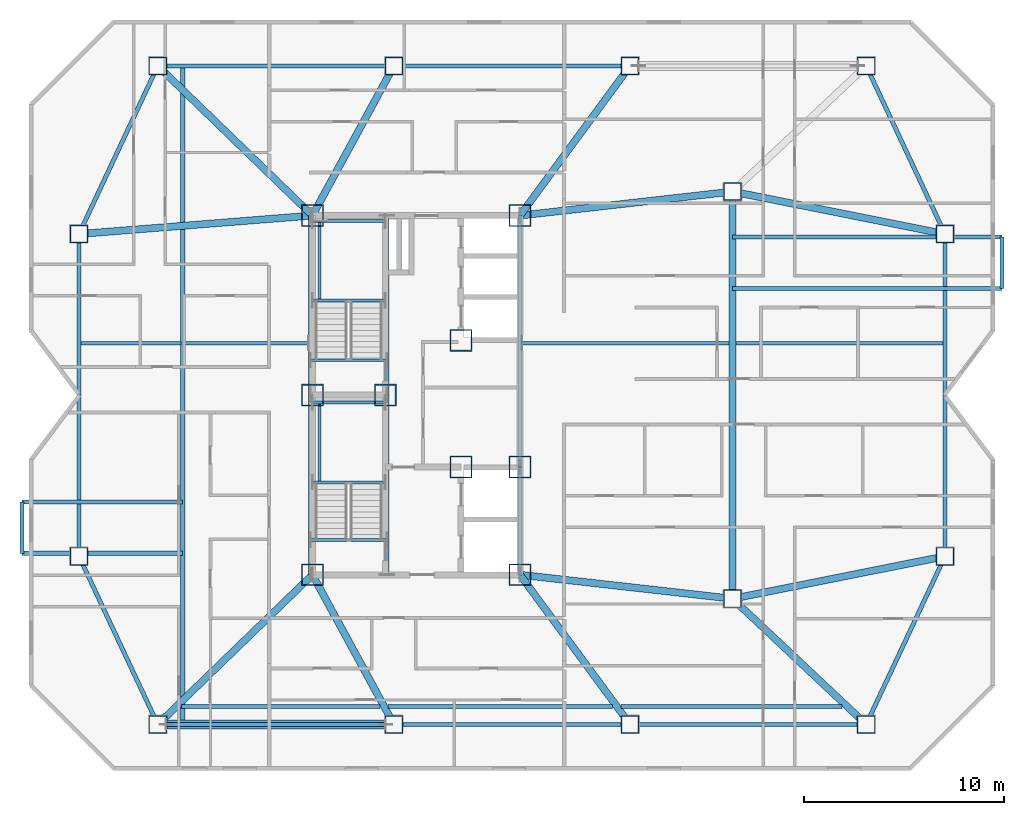
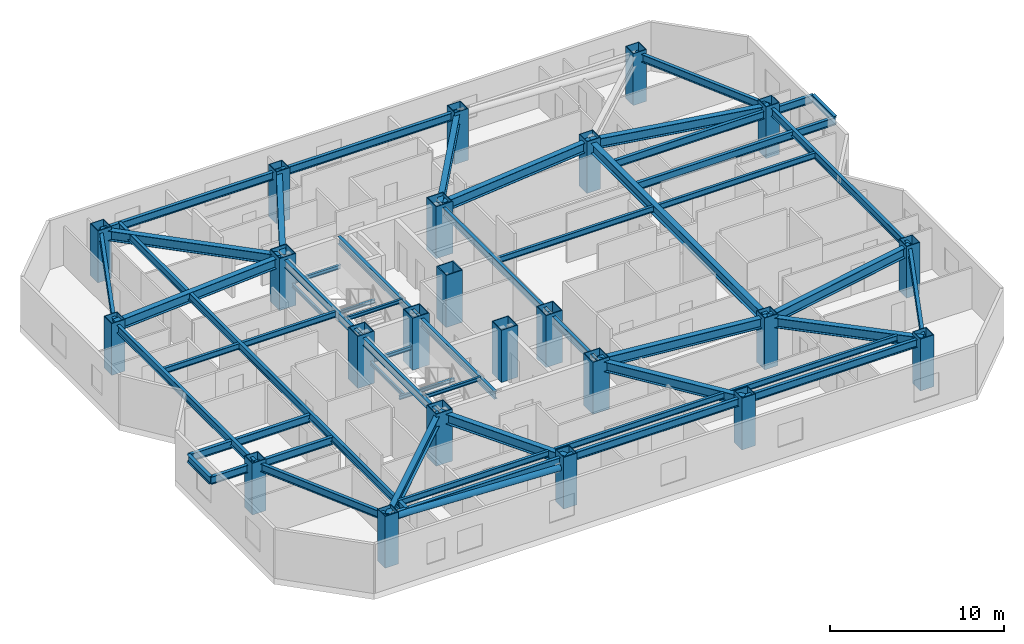
# One storey, part 1 of 11: 52 beams, 23 columns, 1 member.
"""IFC4 building model written with IfcOpenShell, lengths in metres."""

from ifc_helpers import new_model, si_unit, direction, frame, origin, origin_2d, place, context, subcontext, project, spatial, hollow_rectangle, hollow_circle, i_section, extrude, material, material_profile, profile_set, type_object, element, save


model = new_model("IFC4")

# Units and contexts
model_context = context("Model", 3, precision=1e-05, world=origin(), true_north=direction((0.0, 1.0)))
body_context = subcontext(model_context, "Body", "Model", "MODEL_VIEW")
ifc_project = project(units=[si_unit("LENGTHUNIT", "METRE"), si_unit("AREAUNIT", "SQUARE_METRE"), si_unit("VOLUMEUNIT", "CUBIC_METRE"), si_unit("PLANEANGLEUNIT", "RADIAN"), si_unit("MASSUNIT", "GRAM", prefix="KILO")], contexts=[model_context])

# Site, building, storey
site_placement = place(None, origin())
site = spatial("IfcSite", under=ifc_project, at=site_placement, CompositionType="ELEMENT")
building_placement = place(site_placement, origin())
building = spatial("IfcBuilding", under=site, at=building_placement, Name="Khamvora Tower", CompositionType="ELEMENT")
storey_placement = place(building_placement, frame((0.0, 0.0, 155.89990234375)))
storey = spatial("IfcBuildingStorey", under=building, at=storey_placement, Name="L39", CompositionType="ELEMENT", Elevation=155.89990234375)

# Columns
ifc_material_1 = material(Name="Steel S460", Category="steel")
ifc_material_profile_1 = material_profile(ifc_material_1, hollow_rectangle(XDim=1.10009765625, YDim=1.10009765625, WallThickness=0.054931640625, at=origin_2d()), Name="BOX1100x1100x55")
ifc_profile_set_1 = profile_set([ifc_material_profile_1], Name="Steel S460")
column_type_1 = type_object("IfcColumnType", Name="COL-BOX1100", PredefinedType="COLUMN", material=ifc_profile_set_1)
for number, where, z_axis, x_axis, name in (
    (1, (29.0, 19.0, 0.0), (0.0, 0.0, 1.0), (1.0, 0.0, 0.0), "L39 plumb core spine column SC1"),
    (2, (32.64990234375, 28.0, 0.0), (0.0, 0.0, 1.0), (1.0, 0.0, 0.0), "L39 plumb core spine column SC2"),
    (3, (39.39990234375, 19.0, 0.0), (0.0, 0.0, 1.0), (1.0, 0.0, 0.0), "L39 plumb core spine column SC3"),
    (4, (29.0, 28.0, 0.0), (0.0, 0.0, 1.0), (1.0, 0.0, 0.0), "L39 plumb core spine column SC4"),
    (5, (36.449951171875, 24.39990234375, 0.0), (0.0, 0.0, 1.0), (1.0, 0.0, 0.0), "L39 plumb core spine column SC5"),
    (6, (39.39990234375, 24.39990234375, 0.0), (0.0, 0.0, 1.0), (1.0, 0.0, 0.0), "L39 plumb core spine column SC6"),
    (7, (29.0, 37.0, 0.0), (0.0, 0.0, 1.0), (1.0, 0.0, 0.0), "L39 plumb core spine column SC7"),
    (8, (36.449951171875, 30.75, 0.0), (0.0, 0.0, 1.0), (1.0, 0.0, 0.0), "L39 plumb core spine column SC8"),
    (9, (39.39990234375, 37.0, 0.0), (0.0, 0.0, 1.0), (1.0, 0.0, 0.0), "L39 plumb core spine column SC9"),
):
    element("IfcColumn", number, at=place(storey_placement, frame(where, z_axis=z_axis, x_axis=x_axis)), inside=storey, type_object=column_type_1, Name=name, PredefinedType="COLUMN", context=body_context, shape_type="SweptSolid", body=[
        extrude(hollow_rectangle(XDim=1.10009765625, YDim=1.10009765625, WallThickness=0.054931640625, at=origin_2d()), origin(), (0.0, 0.0, 1.0), 3.650146484375),
    ])
ifc_material_2 = material(Name="Steel S355", Category="steel")
ifc_material_profile_2 = material_profile(ifc_material_2, hollow_rectangle(XDim=0.89990234375, YDim=0.89990234375, WallThickness=0.044921875, at=origin_2d()), Name="BOX900x900x45")
ifc_profile_set_2 = profile_set([ifc_material_profile_2], Name="Steel S355")
column_type_2 = type_object("IfcColumnType", Name="COL-BOX900", PredefinedType="COLUMN", material=ifc_profile_set_2)
for number, where, z_axis, x_axis, name in (
    (10, (21.25, 11.5, 0.025146484375), (0.0, 0.0, 1.0), (1.0, 0.0, 0.0), "L39 structural frame column S1"),
    (11, (33.0830078125, 11.5, 0.025146484375), (0.0, 0.0, 1.0), (1.0, 0.0, 0.0), "L39 structural frame column S2"),
    (12, (44.9169921875, 11.5, 0.025146484375), (0.0, 0.0, 1.0), (1.0, 0.0, 0.0), "L39 structural frame column S3"),
    (13, (56.75, 11.5, 0.025146484375), (0.0, 0.0, 1.0), (1.0, 0.0, 0.0), "L39 structural frame column S4"),
    (14, (21.25, 44.5, 0.025146484375), (0.0, 0.0, 1.0), (1.0, 0.0, 0.0), "L39 structural frame column N1"),
    (15, (33.0830078125, 44.5, 0.025146484375), (0.0, 0.0, 1.0), (1.0, 0.0, 0.0), "L39 structural frame column N2"),
    (16, (44.9169921875, 44.5, 0.025146484375), (0.0, 0.0, 1.0), (1.0, 0.0, 0.0), "L39 structural frame column N3"),
    (17, (56.75, 44.5, 0.025146484375), (0.0, 0.0, 1.0), (1.0, 0.0, 0.0), "L39 structural frame column N4"),
    (18, (17.300048828125, 19.925048828125, 0.025146484375), (0.0, 0.0, 1.0), (1.0, 0.0, 0.0), "L39 structural frame column W1"),
    (19, (17.300048828125, 36.074951171875, 0.025146484375), (0.0, 0.0, 1.0), (1.0, 0.0, 0.0), "L39 structural frame column W2"),
    (20, (60.699951171875, 19.925048828125, 0.025146484375), (0.0, 0.0, 1.0), (1.0, 0.0, 0.0), "L39 structural frame column E1"),
    (21, (60.699951171875, 36.074951171875, 0.025146484375), (0.0, 0.0, 1.0), (1.0, 0.0, 0.0), "L39 structural frame column E2"),
    (22, (50.050048828125, 17.800048828125, 0.025146484375), (0.0, 0.0, 1.0), (1.0, 0.0, 0.0), "L39 structural frame column M1"),
    (23, (50.050048828125, 38.199951171875, 0.025146484375), (0.0, 0.0, 1.0), (1.0, 0.0, 0.0), "L39 structural frame column M2"),
):
    element("IfcColumn", number, at=place(storey_placement, frame(where, z_axis=z_axis, x_axis=x_axis)), inside=storey, type_object=column_type_2, Name=name, PredefinedType="COLUMN", context=body_context, shape_type="SweptSolid", body=[
        extrude(hollow_rectangle(XDim=0.89990234375, YDim=0.89990234375, WallThickness=0.044921875, at=origin_2d()), origin(), (0.0, 0.0, 1.0), 3.625),
    ])

# Beams
ifc_material_profile_3 = material_profile(ifc_material_2, i_section(OverallWidth=0.177978515625, OverallDepth=0.406982421875, WebThickness=0.008056640625, FlangeThickness=0.012939453125, FilletRadius=0.010009765625, at=origin_2d()), Name="W410x60")
ifc_profile_set_3 = profile_set([ifc_material_profile_3], Name="Steel S355")
beam_type_1 = type_object("IfcBeamType", Name="BM-JS-W410x60", PredefinedType="JOIST", material=ifc_profile_set_3)
beam_1_placement = place(storey_placement, frame((22.429931640625, 12.39990234375, 3.22705078125), z_axis=(1.0, 0.0, 0.0), x_axis=(0.0, 1.0, 0.0)))
element("IfcBeam", 24, at=beam_1_placement, inside=storey, type_object=beam_type_1, Name="L39 secondary floor joist 01", PredefinedType="JOIST", context=body_context, shape_type="SweptSolid", body=[
    extrude(i_section(OverallWidth=0.177978515625, OverallDepth=0.406982421875, WebThickness=0.008056640625, FlangeThickness=0.012939453125, FilletRadius=0.010009765625, at=origin_2d()), origin(), (0.0, 0.0, 1.0), 9.966064453125),
])
beam_2_placement = place(storey_placement, frame((32.7900390625, 12.39990234375, 3.22705078125), z_axis=(1.0, 0.0, 0.0), x_axis=(0.0, 1.0, 0.0)))
element("IfcBeam", 25, at=beam_2_placement, inside=storey, type_object=beam_type_1, Name="L39 secondary floor joist 02", PredefinedType="JOIST", context=body_context, shape_type="SweptSolid", body=[
    extrude(i_section(OverallWidth=0.177978515625, OverallDepth=0.406982421875, WebThickness=0.008056640625, FlangeThickness=0.012939453125, FilletRadius=0.010009765625, at=origin_2d()), origin(), (0.0, 0.0, 1.0), 11.25),
])
beam_3_placement = place(storey_placement, frame((44.469970703125, 12.39990234375, 3.22705078125), z_axis=(1.0, 0.0, 0.0), x_axis=(0.0, 1.0, 0.0)))
element("IfcBeam", 26, at=beam_3_placement, inside=storey, type_object=beam_type_1, Name="L39 secondary floor joist 03", PredefinedType="JOIST", context=body_context, shape_type="SweptSolid", body=[
    extrude(i_section(OverallWidth=0.177978515625, OverallDepth=0.406982421875, WebThickness=0.008056640625, FlangeThickness=0.012939453125, FilletRadius=0.010009765625, at=origin_2d()), origin(), (0.0, 0.0, 1.0), 11.069091796875),
])
beam_4_placement = place(storey_placement, frame((17.40087890625, 30.60009765625, 3.22705078125), z_axis=(1.0, 0.0, 0.0), x_axis=(0.0, 1.0, 0.0)))
element("IfcBeam", 27, at=beam_4_placement, inside=storey, type_object=beam_type_1, Name="L39 secondary floor joist 04", PredefinedType="JOIST", context=body_context, shape_type="SweptSolid", body=[
    extrude(i_section(OverallWidth=0.177978515625, OverallDepth=0.406982421875, WebThickness=0.008056640625, FlangeThickness=0.012939453125, FilletRadius=0.010009765625, at=origin_2d()), origin(), (0.0, 0.0, 1.0), 5.0),
])
beam_5_placement = place(storey_placement, frame((22.59912109375, 30.60009765625, 3.22705078125), z_axis=(1.0, 0.0, 0.0), x_axis=(0.0, 1.0, 0.0)))
element("IfcBeam", 28, at=beam_5_placement, inside=storey, type_object=beam_type_1, Name="L39 secondary floor joist 05", PredefinedType="JOIST", context=body_context, shape_type="SweptSolid", body=[
    extrude(i_section(OverallWidth=0.177978515625, OverallDepth=0.406982421875, WebThickness=0.008056640625, FlangeThickness=0.012939453125, FilletRadius=0.010009765625, at=origin_2d()), origin(), (0.0, 0.0, 1.0), 6.200927734375),
])
beam_6_placement = place(storey_placement, frame((39.4990234375, 30.60009765625, 3.22705078125), z_axis=(1.0, 0.0, 0.0), x_axis=(0.0, 1.0, 0.0)))
element("IfcBeam", 29, at=beam_6_placement, inside=storey, type_object=beam_type_1, Name="L39 secondary floor joist 06", PredefinedType="JOIST", context=body_context, shape_type="SweptSolid", body=[
    extrude(i_section(OverallWidth=0.177978515625, OverallDepth=0.406982421875, WebThickness=0.008056640625, FlangeThickness=0.012939453125, FilletRadius=0.010009765625, at=origin_2d()), origin(), (0.0, 0.0, 1.0), 10.3779296875),
])
beam_7_placement = place(storey_placement, frame((50.221923828125, 30.60009765625, 3.22705078125), z_axis=(1.0, 0.0, 0.0), x_axis=(0.0, 1.0, 0.0)))
element("IfcBeam", 30, at=beam_7_placement, inside=storey, type_object=beam_type_1, Name="L39 secondary floor joist 07", PredefinedType="JOIST", context=body_context, shape_type="SweptSolid", body=[
    extrude(i_section(OverallWidth=0.177978515625, OverallDepth=0.406982421875, WebThickness=0.008056640625, FlangeThickness=0.012939453125, FilletRadius=0.010009765625, at=origin_2d()), origin(), (0.0, 0.0, 1.0), 10.377197265625),
])
ifc_material_profile_4 = material_profile(ifc_material_2, i_section(OverallWidth=0.14697265625, OverallDepth=0.261962890625, WebThickness=0.007080078125, FlangeThickness=0.010986328125, FilletRadius=0.008056640625, at=origin_2d()), Name="W250x39")
ifc_profile_set_4 = profile_set([ifc_material_profile_4], Name="Steel S355")
beam_type_2 = type_object("IfcBeamType", Name="BM-LN-W250x39", PredefinedType="LINTEL", material=ifc_profile_set_4)
for number, where, z_axis, x_axis, name in (
    (31, (29.0, 23.635009765625, 1.494140625), (1.0, 0.0, 0.0), (0.0, 1.0, 0.0), "L39 ST-01 half-landing support beam 1.1"),
    (32, (29.0, 27.6298828125, 1.494140625), (1.0, 0.0, 0.0), (0.0, 1.0, 0.0), "L39 ST-01 half-landing support beam 1.2"),
):
    element("IfcBeam", number, at=place(storey_placement, frame(where, z_axis=z_axis, x_axis=x_axis)), inside=storey, type_object=beam_type_2, Name=name, PredefinedType="LINTEL", context=body_context, shape_type="SweptSolid", body=[
        extrude(i_section(OverallWidth=0.14697265625, OverallDepth=0.261962890625, WebThickness=0.007080078125, FlangeThickness=0.010986328125, FilletRadius=0.008056640625, at=origin_2d()), origin(), (0.0, 0.0, 1.0), 3.64990234375),
    ])
beam_8_placement = place(storey_placement, frame((29.35009765625, 23.635009765625, 1.494140625), z_axis=(0.0, 1.0, 0.0), x_axis=(-1.0, 0.0, 0.0)))
element("IfcBeam", 33, at=beam_8_placement, inside=storey, type_object=beam_type_2, Name="L39 ST-01 half-landing edge stringer 1", PredefinedType="LINTEL", context=body_context, shape_type="SweptSolid", body=[
    extrude(i_section(OverallWidth=0.14697265625, OverallDepth=0.261962890625, WebThickness=0.007080078125, FlangeThickness=0.010986328125, FilletRadius=0.008056640625, at=origin_2d()), origin(), (0.0, 0.0, 1.0), 3.994873046875),
])
for number, where, z_axis, x_axis, name in (
    (34, (29.0, 32.735107421875, 1.494140625), (1.0, 0.0, 0.0), (0.0, 1.0, 0.0), "L39 ST-02 half-landing support beam 1.1"),
    (35, (29.0, 36.72998046875, 1.494140625), (1.0, 0.0, 0.0), (0.0, 1.0, 0.0), "L39 ST-02 half-landing support beam 1.2"),
):
    element("IfcBeam", number, at=place(storey_placement, frame(where, z_axis=z_axis, x_axis=x_axis)), inside=storey, type_object=beam_type_2, Name=name, PredefinedType="LINTEL", context=body_context, shape_type="SweptSolid", body=[
        extrude(i_section(OverallWidth=0.14697265625, OverallDepth=0.261962890625, WebThickness=0.007080078125, FlangeThickness=0.010986328125, FilletRadius=0.008056640625, at=origin_2d()), origin(), (0.0, 0.0, 1.0), 3.64990234375),
    ])
beam_9_placement = place(storey_placement, frame((29.35009765625, 32.735107421875, 1.494140625), z_axis=(0.0, 1.0, 0.0), x_axis=(-1.0, 0.0, 0.0)))
element("IfcBeam", 36, at=beam_9_placement, inside=storey, type_object=beam_type_2, Name="L39 ST-02 half-landing edge stringer 1", PredefinedType="LINTEL", context=body_context, shape_type="SweptSolid", body=[
    extrude(i_section(OverallWidth=0.14697265625, OverallDepth=0.261962890625, WebThickness=0.007080078125, FlangeThickness=0.010986328125, FilletRadius=0.008056640625, at=origin_2d()), origin(), (0.0, 0.0, 1.0), 3.994873046875),
])
for number, where, z_axis, x_axis, name in (
    (37, (28.89990234375, 20.75, 3.30419921875), (1.0, 0.0, 0.0), (0.0, 1.0, 0.0), "L39 exit stair ST-01 landing trimmer beam"),
    (38, (28.89990234375, 29.75, 3.30419921875), (1.0, 0.0, 0.0), (0.0, 1.0, 0.0), "L39 exit stair ST-02 landing trimmer beam"),
):
    element("IfcBeam", number, at=place(storey_placement, frame(where, z_axis=z_axis, x_axis=x_axis)), inside=storey, type_object=beam_type_2, Name=name, PredefinedType="LINTEL", context=body_context, shape_type="SweptSolid", body=[
        extrude(i_section(OverallWidth=0.14697265625, OverallDepth=0.261962890625, WebThickness=0.007080078125, FlangeThickness=0.010986328125, FilletRadius=0.008056640625, at=origin_2d()), origin(), (0.0, 0.0, 1.0), 3.830078125),
    ])
ifc_material_profile_5 = material_profile(ifc_material_2, i_section(OverallWidth=0.35498046875, OverallDepth=0.695068359375, WebThickness=0.014892578125, FlangeThickness=0.02490234375, FilletRadius=0.01611328125, at=origin_2d()), Name="W690x217")
ifc_profile_set_5 = profile_set([ifc_material_profile_5], Name="Steel S355")
beam_type_3 = type_object("IfcBeamType", Name="BM-PG-W690x217", PredefinedType="BEAM", material=ifc_profile_set_5)
beam_10_placement = place(storey_placement, frame((50.050048828125, 17.800048828125, 3.0830078125), z_axis=(0.0, 1.0, 0.0), x_axis=(-1.0, 0.0, 0.0)))
element("IfcBeam", 39, at=beam_10_placement, inside=storey, type_object=beam_type_3, Name="L39 longitudinal frame girder M1-M2", PredefinedType="BEAM", context=body_context, shape_type="SweptSolid", body=[
    extrude(i_section(OverallWidth=0.35498046875, OverallDepth=0.695068359375, WebThickness=0.014892578125, FlangeThickness=0.02490234375, FilletRadius=0.01611328125, at=origin_2d()), origin(), (0.0, 0.0, 1.0), 20.39990234375),
])
beam_11_placement = place(storey_placement, frame((29.0, 19.0, 3.0830078125), z_axis=(-0.718602141767, -0.695421427516, 0.0), x_axis=(0.695421427516, -0.718602141767, 0.0)))
element("IfcBeam", 40, at=beam_11_placement, inside=storey, type_object=beam_type_3, Name="L39 primary floor girder S1", PredefinedType="BEAM", context=body_context, shape_type="SweptSolid", body=[
    extrude(i_section(OverallWidth=0.35498046875, OverallDepth=0.695068359375, WebThickness=0.014892578125, FlangeThickness=0.02490234375, FilletRadius=0.01611328125, at=origin_2d()), origin(), (0.0, 0.0, 1.0), 10.784912109375),
])
beam_12_placement = place(storey_placement, frame((29.0, 19.0, 3.0830078125), z_axis=(0.478138862063, -0.878284252725, 0.0), x_axis=(0.878284252725, 0.478138862063, 0.0)))
element("IfcBeam", 41, at=beam_12_placement, inside=storey, type_object=beam_type_3, Name="L39 primary floor girder S2", PredefinedType="BEAM", context=body_context, shape_type="SweptSolid", body=[
    extrude(i_section(OverallWidth=0.35498046875, OverallDepth=0.695068359375, WebThickness=0.014892578125, FlangeThickness=0.02490234375, FilletRadius=0.01611328125, at=origin_2d()), origin(), (0.0, 0.0, 1.0), 8.539306640625),
])
beam_13_placement = place(storey_placement, frame((39.39990234375, 19.0, 3.0830078125), z_axis=(0.592556630955, -0.805528794713, 0.0), x_axis=(0.805528794713, 0.592556630955, 0.0)))
element("IfcBeam", 42, at=beam_13_placement, inside=storey, type_object=beam_type_3, Name="L39 primary floor girder S3", PredefinedType="BEAM", context=body_context, shape_type="SweptSolid", body=[
    extrude(i_section(OverallWidth=0.35498046875, OverallDepth=0.695068359375, WebThickness=0.014892578125, FlangeThickness=0.02490234375, FilletRadius=0.01611328125, at=origin_2d()), origin(), (0.0, 0.0, 1.0), 9.310546875),
])
beam_14_placement = place(storey_placement, frame((50.050048828125, 17.800048828125, 3.0830078125), z_axis=(0.728513992294, -0.685030921224, 0.0), x_axis=(0.685030921224, 0.728513992294, 0.0)))
element("IfcBeam", 43, at=beam_14_placement, inside=storey, type_object=beam_type_3, Name="L39 primary floor girder S4", PredefinedType="BEAM", context=body_context, shape_type="SweptSolid", body=[
    extrude(i_section(OverallWidth=0.35498046875, OverallDepth=0.695068359375, WebThickness=0.014892578125, FlangeThickness=0.02490234375, FilletRadius=0.01611328125, at=origin_2d()), origin(), (0.0, 0.0, 1.0), 9.19677734375),
])
beam_15_placement = place(storey_placement, frame((29.0, 37.0, 3.0830078125), z_axis=(-0.718602141767, 0.695421427516, 0.0), x_axis=(-0.695421427516, -0.718602141767, 0.0)))
element("IfcBeam", 44, at=beam_15_placement, inside=storey, type_object=beam_type_3, Name="L39 primary floor girder N1", PredefinedType="BEAM", context=body_context, shape_type="SweptSolid", body=[
    extrude(i_section(OverallWidth=0.35498046875, OverallDepth=0.695068359375, WebThickness=0.014892578125, FlangeThickness=0.02490234375, FilletRadius=0.01611328125, at=origin_2d()), origin(), (0.0, 0.0, 1.0), 10.784912109375),
])
beam_16_placement = place(storey_placement, frame((29.0, 37.0, 3.0830078125), z_axis=(0.478138862063, 0.878284252725, 0.0), x_axis=(-0.878284252725, 0.478138862063, 0.0)))
element("IfcBeam", 45, at=beam_16_placement, inside=storey, type_object=beam_type_3, Name="L39 primary floor girder N2", PredefinedType="BEAM", context=body_context, shape_type="SweptSolid", body=[
    extrude(i_section(OverallWidth=0.35498046875, OverallDepth=0.695068359375, WebThickness=0.014892578125, FlangeThickness=0.02490234375, FilletRadius=0.01611328125, at=origin_2d()), origin(), (0.0, 0.0, 1.0), 8.539306640625),
])
beam_17_placement = place(storey_placement, frame((39.39990234375, 37.0, 3.0830078125), z_axis=(0.592556630955, 0.805528794713, 0.0), x_axis=(-0.805528794713, 0.592556630955, 0.0)))
element("IfcBeam", 46, at=beam_17_placement, inside=storey, type_object=beam_type_3, Name="L39 primary floor girder N3", PredefinedType="BEAM", context=body_context, shape_type="SweptSolid", body=[
    extrude(i_section(OverallWidth=0.35498046875, OverallDepth=0.695068359375, WebThickness=0.014892578125, FlangeThickness=0.02490234375, FilletRadius=0.01611328125, at=origin_2d()), origin(), (0.0, 0.0, 1.0), 9.310546875),
])
beam_18_placement = place(storey_placement, frame((29.0, 37.0, 3.0830078125), z_axis=(-0.996888993668, -0.078818362728, 0.0), x_axis=(0.078818362728, -0.996888993668, 0.0)))
element("IfcBeam", 47, at=beam_18_placement, inside=storey, type_object=beam_type_3, Name="L39 primary floor girder W2", PredefinedType="BEAM", context=body_context, shape_type="SweptSolid", body=[
    extrude(i_section(OverallWidth=0.35498046875, OverallDepth=0.695068359375, WebThickness=0.014892578125, FlangeThickness=0.02490234375, FilletRadius=0.01611328125, at=origin_2d()), origin(), (0.0, 0.0, 1.0), 11.736572265625),
])
for number, where, z_axis, x_axis, name in (
    (48, (50.050048828125, 17.800048828125, 3.0830078125), (0.980668771461, 0.195675140681, 0.0), (-0.195675140681, 0.980668771461, 0.0), "L39 primary floor girder E1"),
    (49, (50.050048828125, 38.199951171875, 3.0830078125), (0.980668771461, -0.195675140681, 0.0), (0.195675140681, 0.980668771461, 0.0), "L39 primary floor girder E2"),
):
    element("IfcBeam", number, at=place(storey_placement, frame(where, z_axis=z_axis, x_axis=x_axis)), inside=storey, type_object=beam_type_3, Name=name, PredefinedType="BEAM", context=body_context, shape_type="SweptSolid", body=[
        extrude(i_section(OverallWidth=0.35498046875, OverallDepth=0.695068359375, WebThickness=0.014892578125, FlangeThickness=0.02490234375, FilletRadius=0.01611328125, at=origin_2d()), origin(), (0.0, 0.0, 1.0), 10.85986328125),
    ])
for number, where, z_axis, x_axis, name in (
    (50, (39.39990234375, 19.0, 3.0830078125), (0.993712543569, -0.111961514606, 0.0), (0.111961514606, 0.993712543569, 0.0), "L39 primary floor girder M1"),
    (51, (39.39990234375, 37.0, 3.0830078125), (0.993712543569, 0.111961514606, 0.0), (-0.111961514606, 0.993712543569, 0.0), "L39 primary floor girder M2"),
):
    element("IfcBeam", number, at=place(storey_placement, frame(where, z_axis=z_axis, x_axis=x_axis)), inside=storey, type_object=beam_type_3, Name=name, PredefinedType="BEAM", context=body_context, shape_type="SweptSolid", body=[
        extrude(i_section(OverallWidth=0.35498046875, OverallDepth=0.695068359375, WebThickness=0.014892578125, FlangeThickness=0.02490234375, FilletRadius=0.01611328125, at=origin_2d()), origin(), (0.0, 0.0, 1.0), 10.717529296875),
    ])
ifc_material_profile_6 = material_profile(ifc_material_2, i_section(OverallWidth=0.2119140625, OverallDepth=0.5439453125, WebThickness=0.012939453125, FlangeThickness=0.02099609375, FilletRadius=0.013916015625, at=origin_2d()), Name="W530x123")
ifc_profile_set_6 = profile_set([ifc_material_profile_6], Name="Steel S355")
beam_type_4 = type_object("IfcBeamType", Name="BM-SP-W530x123", PredefinedType="SPANDREL", material=ifc_profile_set_6)
beam_19_placement = place(storey_placement, frame((17.300048828125, 19.925048828125, 3.158203125), z_axis=(0.424496391454, -0.905429629315, 0.0), x_axis=(0.905429629315, 0.424496391454, 0.0)))
element("IfcBeam", 52, at=beam_19_placement, inside=storey, type_object=beam_type_4, Name="L39 perimeter spandrel beam W1-S1", PredefinedType="SPANDREL", context=body_context, shape_type="SweptSolid", body=[
    extrude(i_section(OverallWidth=0.2119140625, OverallDepth=0.5439453125, WebThickness=0.012939453125, FlangeThickness=0.02099609375, FilletRadius=0.013916015625, at=origin_2d()), origin(), (0.0, 0.0, 1.0), 9.304931640625),
])
beam_20_placement = place(storey_placement, frame((21.25, 11.5, 3.158203125), z_axis=(1.0, 0.0, 0.0), x_axis=(0.0, 1.0, 0.0)))
element("IfcBeam", 53, at=beam_20_placement, inside=storey, type_object=beam_type_4, Name="L39 perimeter spandrel beam S1-S2", PredefinedType="SPANDREL", context=body_context, shape_type="SweptSolid", body=[
    extrude(i_section(OverallWidth=0.2119140625, OverallDepth=0.5439453125, WebThickness=0.012939453125, FlangeThickness=0.02099609375, FilletRadius=0.013916015625, at=origin_2d()), origin(), (0.0, 0.0, 1.0), 11.8330078125),
])
beam_21_placement = place(storey_placement, frame((33.0830078125, 11.5, 3.158203125), z_axis=(1.0, 0.0, 0.0), x_axis=(0.0, 1.0, 0.0)))
element("IfcBeam", 54, at=beam_21_placement, inside=storey, type_object=beam_type_4, Name="L39 perimeter spandrel beam S2-S3", PredefinedType="SPANDREL", context=body_context, shape_type="SweptSolid", body=[
    extrude(i_section(OverallWidth=0.2119140625, OverallDepth=0.5439453125, WebThickness=0.012939453125, FlangeThickness=0.02099609375, FilletRadius=0.013916015625, at=origin_2d()), origin(), (0.0, 0.0, 1.0), 11.833984375),
])
beam_22_placement = place(storey_placement, frame((44.9169921875, 11.5, 3.158203125), z_axis=(1.0, 0.0, 0.0), x_axis=(0.0, 1.0, 0.0)))
element("IfcBeam", 55, at=beam_22_placement, inside=storey, type_object=beam_type_4, Name="L39 perimeter spandrel beam S3-S4", PredefinedType="SPANDREL", context=body_context, shape_type="SweptSolid", body=[
    extrude(i_section(OverallWidth=0.2119140625, OverallDepth=0.5439453125, WebThickness=0.012939453125, FlangeThickness=0.02099609375, FilletRadius=0.013916015625, at=origin_2d()), origin(), (0.0, 0.0, 1.0), 11.8330078125),
])
beam_23_placement = place(storey_placement, frame((56.75, 11.5, 3.158203125), z_axis=(0.424496391454, 0.905429629315, 0.0), x_axis=(-0.905429629315, 0.424496391454, 0.0)))
element("IfcBeam", 56, at=beam_23_placement, inside=storey, type_object=beam_type_4, Name="L39 perimeter spandrel beam S4-E1", PredefinedType="SPANDREL", context=body_context, shape_type="SweptSolid", body=[
    extrude(i_section(OverallWidth=0.2119140625, OverallDepth=0.5439453125, WebThickness=0.012939453125, FlangeThickness=0.02099609375, FilletRadius=0.013916015625, at=origin_2d()), origin(), (0.0, 0.0, 1.0), 9.304931640625),
])
beam_24_placement = place(storey_placement, frame((60.699951171875, 19.925048828125, 3.158203125), z_axis=(0.0, 1.0, 0.0), x_axis=(-1.0, 0.0, 0.0)))
element("IfcBeam", 57, at=beam_24_placement, inside=storey, type_object=beam_type_4, Name="L39 perimeter spandrel beam E1-E2", PredefinedType="SPANDREL", context=body_context, shape_type="SweptSolid", body=[
    extrude(i_section(OverallWidth=0.2119140625, OverallDepth=0.5439453125, WebThickness=0.012939453125, FlangeThickness=0.02099609375, FilletRadius=0.013916015625, at=origin_2d()), origin(), (0.0, 0.0, 1.0), 16.14990234375),
])
beam_25_placement = place(storey_placement, frame((60.699951171875, 36.074951171875, 3.158203125), z_axis=(-0.424496391454, 0.905429629315, 0.0), x_axis=(-0.905429629315, -0.424496391454, 0.0)))
element("IfcBeam", 58, at=beam_25_placement, inside=storey, type_object=beam_type_4, Name="L39 perimeter spandrel beam E2-N4", PredefinedType="SPANDREL", context=body_context, shape_type="SweptSolid", body=[
    extrude(i_section(OverallWidth=0.2119140625, OverallDepth=0.5439453125, WebThickness=0.012939453125, FlangeThickness=0.02099609375, FilletRadius=0.013916015625, at=origin_2d()), origin(), (0.0, 0.0, 1.0), 9.304931640625),
])
beam_26_placement = place(storey_placement, frame((44.9169921875, 44.5, 3.158203125), z_axis=(-1.0, 0.0, 0.0), x_axis=(0.0, -1.0, 0.0)))
element("IfcBeam", 59, at=beam_26_placement, inside=storey, type_object=beam_type_4, Name="L39 perimeter spandrel beam N3-N2", PredefinedType="SPANDREL", context=body_context, shape_type="SweptSolid", body=[
    extrude(i_section(OverallWidth=0.2119140625, OverallDepth=0.5439453125, WebThickness=0.012939453125, FlangeThickness=0.02099609375, FilletRadius=0.013916015625, at=origin_2d()), origin(), (0.0, 0.0, 1.0), 11.833984375),
])
beam_27_placement = place(storey_placement, frame((33.0830078125, 44.5, 3.158203125), z_axis=(-1.0, 0.0, 0.0), x_axis=(0.0, -1.0, 0.0)))
element("IfcBeam", 60, at=beam_27_placement, inside=storey, type_object=beam_type_4, Name="L39 perimeter spandrel beam N2-N1", PredefinedType="SPANDREL", context=body_context, shape_type="SweptSolid", body=[
    extrude(i_section(OverallWidth=0.2119140625, OverallDepth=0.5439453125, WebThickness=0.012939453125, FlangeThickness=0.02099609375, FilletRadius=0.013916015625, at=origin_2d()), origin(), (0.0, 0.0, 1.0), 11.8330078125),
])
beam_28_placement = place(storey_placement, frame((21.25, 44.5, 3.158203125), z_axis=(-0.424496391454, -0.905429629315, 0.0), x_axis=(0.905429629315, -0.424496391454, 0.0)))
element("IfcBeam", 61, at=beam_28_placement, inside=storey, type_object=beam_type_4, Name="L39 perimeter spandrel beam N1-W2", PredefinedType="SPANDREL", context=body_context, shape_type="SweptSolid", body=[
    extrude(i_section(OverallWidth=0.2119140625, OverallDepth=0.5439453125, WebThickness=0.012939453125, FlangeThickness=0.02099609375, FilletRadius=0.013916015625, at=origin_2d()), origin(), (0.0, 0.0, 1.0), 9.304931640625),
])
beam_29_placement = place(storey_placement, frame((17.300048828125, 36.074951171875, 3.158203125), z_axis=(0.0, -1.0, 0.0), x_axis=(1.0, 0.0, 0.0)))
element("IfcBeam", 62, at=beam_29_placement, inside=storey, type_object=beam_type_4, Name="L39 perimeter spandrel beam W2-W1", PredefinedType="SPANDREL", context=body_context, shape_type="SweptSolid", body=[
    extrude(i_section(OverallWidth=0.2119140625, OverallDepth=0.5439453125, WebThickness=0.012939453125, FlangeThickness=0.02099609375, FilletRadius=0.013916015625, at=origin_2d()), origin(), (0.0, 0.0, 1.0), 16.14990234375),
])
ifc_material_profile_7 = material_profile(ifc_material_2, i_section(OverallWidth=0.208984375, OverallDepth=0.532958984375, WebThickness=0.010009765625, FlangeThickness=0.01611328125, FilletRadius=0.013916015625, at=origin_2d()), Name="W530x92")
ifc_profile_set_7 = profile_set([ifc_material_profile_7], Name="Steel S355")
beam_type_5 = type_object("IfcBeamType", Name="BM-SP-W530x92", PredefinedType="SPANDREL", material=ifc_profile_set_7)
for number, where, z_axis, x_axis, name in (
    (63, (28.89990234375, 19.0, 3.1640625), (0.0, 1.0, 0.0), (-1.0, 0.0, 0.0), "L39 core spine girder WS"),
    (64, (28.89990234375, 28.0, 3.1640625), (0.0, 1.0, 0.0), (-1.0, 0.0, 0.0), "L39 core spine girder WN"),
    (65, (32.72998046875, 19.0, 3.1640625), (0.0, 1.0, 0.0), (-1.0, 0.0, 0.0), "L39 core spine girder M1S"),
    (66, (32.72998046875, 28.0, 3.1640625), (0.0, 1.0, 0.0), (-1.0, 0.0, 0.0), "L39 core spine girder M1N"),
):
    element("IfcBeam", number, at=place(storey_placement, frame(where, z_axis=z_axis, x_axis=x_axis)), inside=storey, type_object=beam_type_5, Name=name, PredefinedType="SPANDREL", context=body_context, shape_type="SweptSolid", body=[
        extrude(i_section(OverallWidth=0.208984375, OverallDepth=0.532958984375, WebThickness=0.010009765625, FlangeThickness=0.01611328125, FilletRadius=0.013916015625, at=origin_2d()), origin(), (0.0, 0.0, 1.0), 9.0),
    ])
beam_30_placement = place(storey_placement, frame((39.39990234375, 19.0, 3.1640625), z_axis=(0.0, 1.0, 0.0), x_axis=(-1.0, 0.0, 0.0)))
element("IfcBeam", 67, at=beam_30_placement, inside=storey, type_object=beam_type_5, Name="L39 core spine girder ES", PredefinedType="SPANDREL", context=body_context, shape_type="SweptSolid", body=[
    extrude(i_section(OverallWidth=0.208984375, OverallDepth=0.532958984375, WebThickness=0.010009765625, FlangeThickness=0.01611328125, FilletRadius=0.013916015625, at=origin_2d()), origin(), (0.0, 0.0, 1.0), 5.39990234375),
])
beam_31_placement = place(storey_placement, frame((39.39990234375, 24.39990234375, 3.1640625), z_axis=(0.0, 1.0, 0.0), x_axis=(-1.0, 0.0, 0.0)))
element("IfcBeam", 68, at=beam_31_placement, inside=storey, type_object=beam_type_5, Name="L39 core spine girder EN", PredefinedType="SPANDREL", context=body_context, shape_type="SweptSolid", body=[
    extrude(i_section(OverallWidth=0.208984375, OverallDepth=0.532958984375, WebThickness=0.010009765625, FlangeThickness=0.01611328125, FilletRadius=0.013916015625, at=origin_2d()), origin(), (0.0, 0.0, 1.0), 12.60009765625),
])
for number, where, z_axis, x_axis, name in (
    (69, (50.050048828125, 33.35009765625, 2.963134765625), (1.0, 0.0, 0.0), (0.0, 1.0, 0.0), "L39 continuous gallery cantilever girder L40-EL2-1"),
    (70, (50.050048828125, 35.925048828125, 2.963134765625), (1.0, 0.0, 0.0), (0.0, 1.0, 0.0), "L39 continuous gallery cantilever girder L40-EL2-2"),
):
    element("IfcBeam", number, at=place(storey_placement, frame(where, z_axis=z_axis, x_axis=x_axis)), inside=storey, type_object=beam_type_5, Name=name, PredefinedType="SPANDREL", context=body_context, shape_type="SweptSolid", body=[
        extrude(i_section(OverallWidth=0.208984375, OverallDepth=0.532958984375, WebThickness=0.010009765625, FlangeThickness=0.01611328125, FilletRadius=0.013916015625, at=origin_2d()), origin(), (0.0, 0.0, 1.0), 13.5),
    ])
beam_32_placement = place(storey_placement, frame((63.550048828125, 33.35009765625, 2.963134765625), z_axis=(0.0, 1.0, 0.0), x_axis=(-1.0, 0.0, 0.0)))
element("IfcBeam", 71, at=beam_32_placement, inside=storey, type_object=beam_type_5, Name="L39 external gallery edge header beam L40-EL2", PredefinedType="SPANDREL", context=body_context, shape_type="SweptSolid", body=[
    extrude(i_section(OverallWidth=0.208984375, OverallDepth=0.532958984375, WebThickness=0.010009765625, FlangeThickness=0.01611328125, FilletRadius=0.013916015625, at=origin_2d()), origin(), (0.0, 0.0, 1.0), 2.574951171875),
])
beam_33_placement = place(storey_placement, frame((22.5, 11.5, 3.1640625), z_axis=(0.0, 1.0, 0.0), x_axis=(-1.0, 0.0, 0.0)))
element("IfcBeam", 72, at=beam_33_placement, inside=storey, type_object=beam_type_5, Name="L39 gallery back-span collector girder W", PredefinedType="SPANDREL", context=body_context, shape_type="SweptSolid", body=[
    extrude(i_section(OverallWidth=0.208984375, OverallDepth=0.532958984375, WebThickness=0.010009765625, FlangeThickness=0.01611328125, FilletRadius=0.013916015625, at=origin_2d()), origin(), (0.0, 0.0, 1.0), 33.0),
])
for number, where, z_axis, x_axis, name in (
    (73, (22.5, 20.074951171875, 2.963134765625), (-1.0, 0.0, 0.0), (0.0, -1.0, 0.0), "L39 continuous gallery cantilever girder L40-WL1-1"),
    (74, (22.5, 22.64990234375, 2.963134765625), (-1.0, 0.0, 0.0), (0.0, -1.0, 0.0), "L39 continuous gallery cantilever girder L40-WL1-2"),
):
    element("IfcBeam", number, at=place(storey_placement, frame(where, z_axis=z_axis, x_axis=x_axis)), inside=storey, type_object=beam_type_5, Name=name, PredefinedType="SPANDREL", context=body_context, shape_type="SweptSolid", body=[
        extrude(i_section(OverallWidth=0.208984375, OverallDepth=0.532958984375, WebThickness=0.010009765625, FlangeThickness=0.01611328125, FilletRadius=0.013916015625, at=origin_2d()), origin(), (0.0, 0.0, 1.0), 8.050048828125),
    ])
beam_34_placement = place(storey_placement, frame((14.449951171875, 20.074951171875, 2.963134765625), z_axis=(0.0, 1.0, 0.0), x_axis=(-1.0, 0.0, 0.0)))
element("IfcBeam", 75, at=beam_34_placement, inside=storey, type_object=beam_type_5, Name="L39 external gallery edge header beam L40-WL1", PredefinedType="SPANDREL", context=body_context, shape_type="SweptSolid", body=[
    extrude(i_section(OverallWidth=0.208984375, OverallDepth=0.532958984375, WebThickness=0.010009765625, FlangeThickness=0.01611328125, FilletRadius=0.013916015625, at=origin_2d()), origin(), (0.0, 0.0, 1.0), 2.574951171875),
])

# Member
ifc_material_profile_8 = material_profile(ifc_material_2, hollow_circle(Radius=0.228515625, WallThickness=0.02001953125, at=origin_2d()), Name="CHS457x20")
ifc_profile_set_8 = profile_set([ifc_material_profile_8], Name="Steel S355")
member_type = type_object("IfcMemberType", Name="MEM-BR-CHS457", PredefinedType="BRACE", material=ifc_profile_set_8)
member_placement = place(storey_placement, frame((32.653076171875, 11.5, 2.697998046875), z_axis=(-0.999174860809, 0.0, 0.040615237634), x_axis=(0.0, -1.0, 0.0)))
element("IfcMember", 76, at=member_placement, inside=storey, type_object=member_type, Name="L39 perimeter wind brace 1", PredefinedType="BRACE", context=body_context, shape_type="SweptSolid", body=[
    extrude(hollow_circle(Radius=0.228515625, WallThickness=0.02001953125, at=origin_2d()), origin(), (0.0, 0.0, 1.0), 10.982177734375),
])

save(model, "model.ifc")
